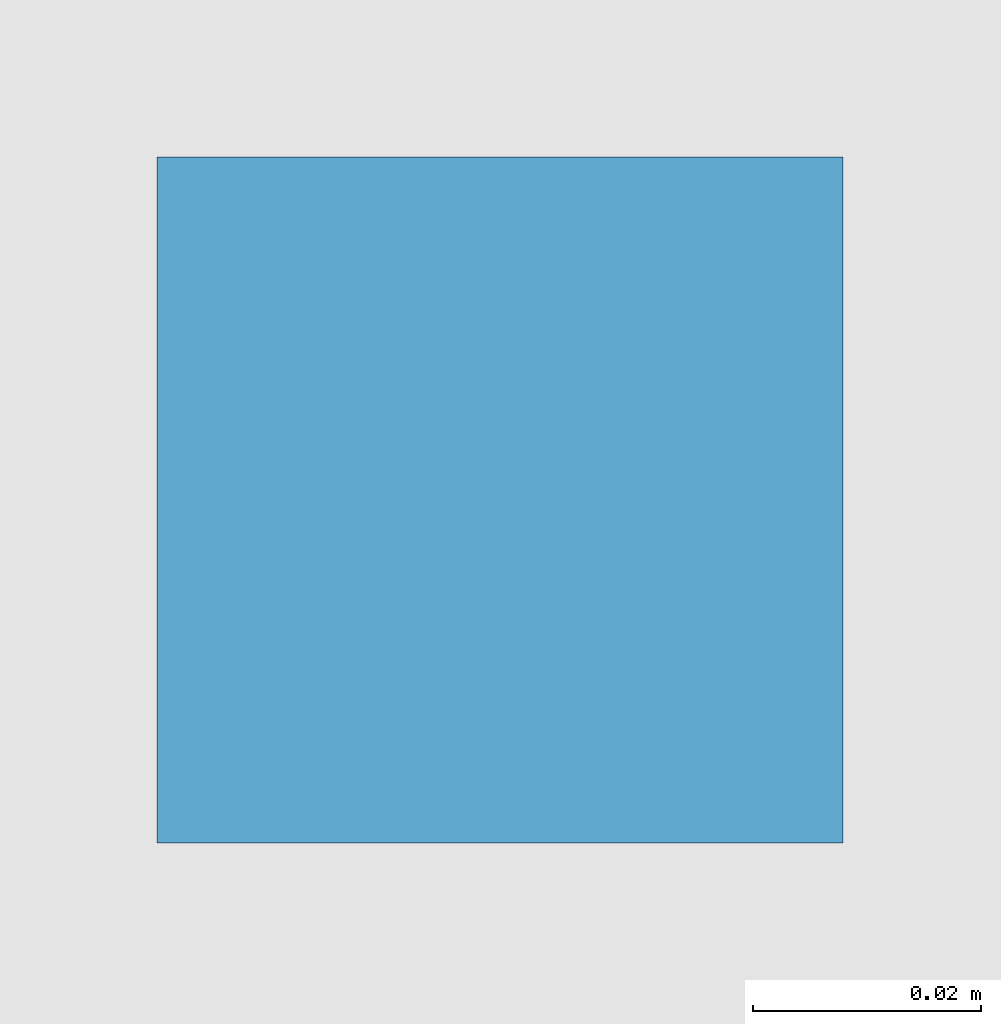
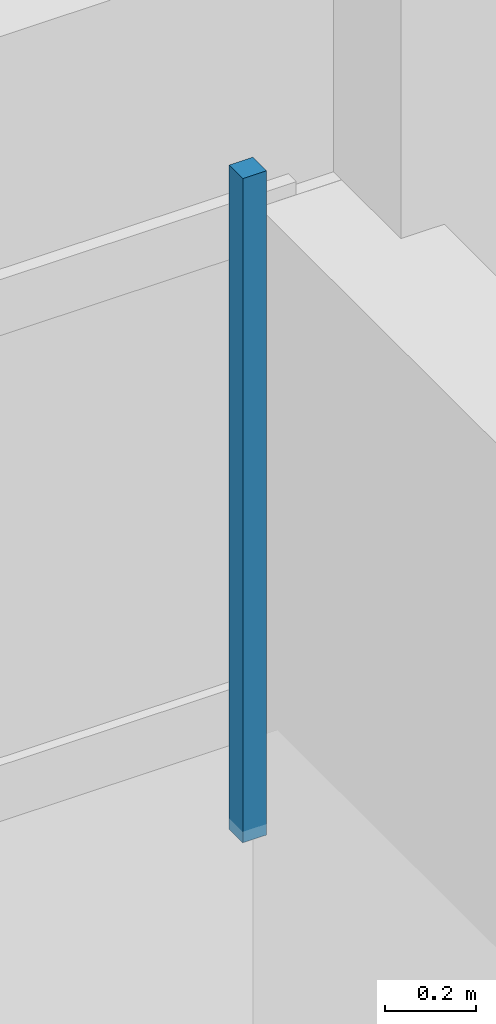
# One storey, part 94 of 111: 1 discrete accessory.
"""IFC4 building model written with IfcOpenShell, lengths in metres."""

from ifc_helpers import new_model, si_unit, direction, frame, origin, place, context, subcontext, project, spatial, polyline, outline, extrude, material, type_object, element, save


model = new_model("IFC4")

# Units and contexts
model_context = context("Model", 3, precision=1e-05, world=origin(), true_north=direction((0.0, 1.0)))
body_context = subcontext(model_context, "Body", "Model", "MODEL_VIEW")
ifc_project = project(units=[si_unit("LENGTHUNIT", "METRE"), si_unit("AREAUNIT", "SQUARE_METRE"), si_unit("VOLUMEUNIT", "CUBIC_METRE"), si_unit("PLANEANGLEUNIT", "RADIAN"), si_unit("MASSUNIT", "GRAM", prefix="KILO")], contexts=[model_context])

# Site, building, storey
site_placement = place(None, origin())
site = spatial("IfcSite", under=ifc_project, at=site_placement, CompositionType="ELEMENT")
building_placement = place(site_placement, origin())
building = spatial("IfcBuilding", under=site, at=building_placement, Name="Dunescarp Central Library", CompositionType="ELEMENT")
storey_placement = place(building_placement, origin())
storey = spatial("IfcBuildingStorey", under=building, at=storey_placement, Name="L00", CompositionType="ELEMENT", Elevation=0.0)

# Discrete accessory
ifc_material = material(Name="Stainless steel Grade 316L", Category="steel")
discrete_accessory_type = type_object("IfcDiscreteAccessoryType", Name="ARC-ACC-BRK", PredefinedType="BRACKET", material=ifc_material)
discrete_accessory_placement = place(storey_placement, frame((0.0, 0.0, 3.06005859375)))
element("IfcDiscreteAccessory", 1, at=discrete_accessory_placement, inside=storey, type_object=discrete_accessory_type, Name="L00 ceiling hanger CLG-L00-144-H2", PredefinedType="BRACKET", context=body_context, shape_type="SweptSolid", body=[
    extrude(outline(polyline([(167.22998046875, 44.3798828125), (167.2900390625, 44.3798828125), (167.2900390625, 44.43994140625), (167.22998046875, 44.43994140625), (167.22998046875, 44.3798828125)])), origin(), (0.0, 0.0, 1.0), 1.780029296875),
])

save(model, "model.ifc")
